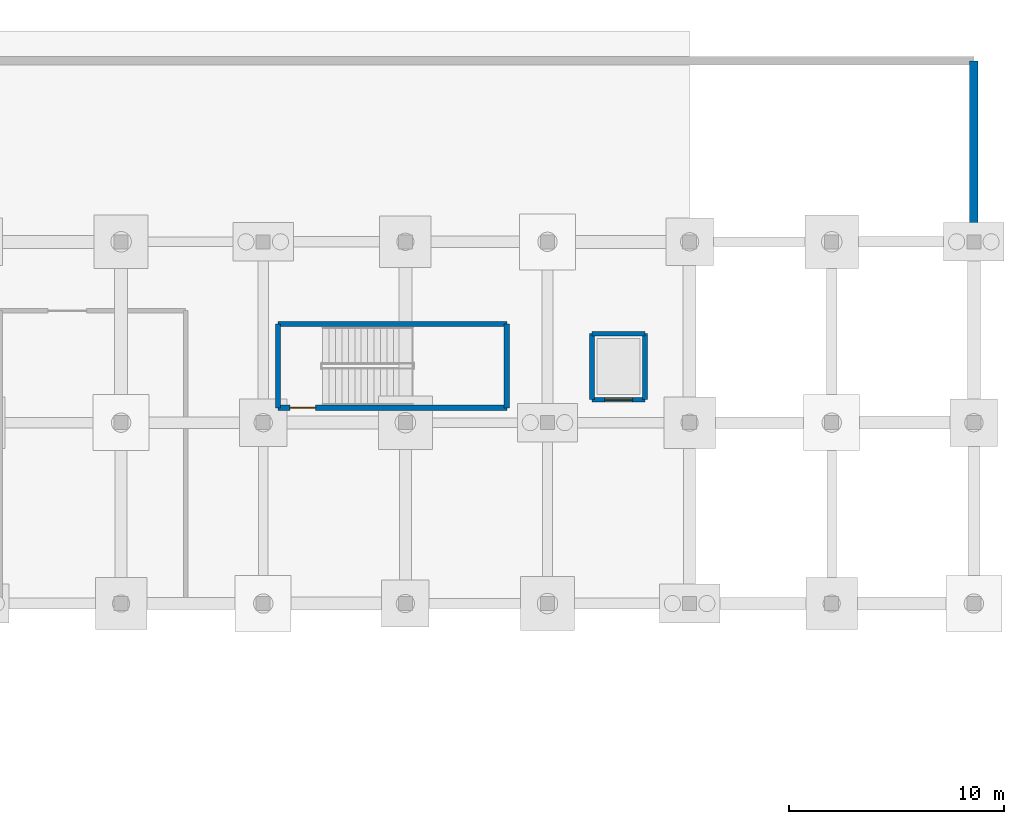
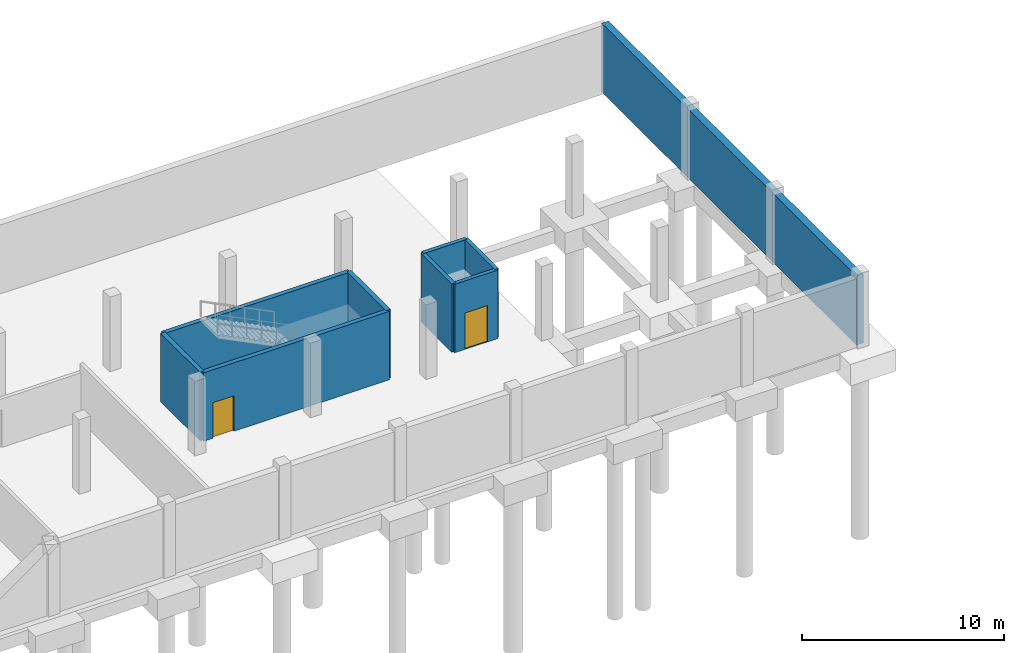
# One storey, part 27 of 35: 9 walls, 2 doors, 2 openings.
"""IFC4 building model written with IfcOpenShell, lengths in metres."""

from ifc_helpers import new_model, si_unit, direction, frame, frame_2d, origin, place, context, subcontext, project, spatial, rectangle, extrude, material, layer, layer_set, type_object, element, fill, save


model = new_model("IFC4")

# Units and contexts
model_context = context("Model", 3, precision=1e-05, world=origin(), true_north=direction((0.0, 1.0)))
body_context = subcontext(model_context, "Body", "Model", "MODEL_VIEW")
ifc_project = project(units=[si_unit("LENGTHUNIT", "METRE"), si_unit("AREAUNIT", "SQUARE_METRE"), si_unit("VOLUMEUNIT", "CUBIC_METRE"), si_unit("PLANEANGLEUNIT", "RADIAN"), si_unit("MASSUNIT", "GRAM", prefix="KILO")], contexts=[model_context])

# Site, building, storey
site_placement = place(None, origin())
site = spatial("IfcSite", under=ifc_project, at=site_placement, CompositionType="ELEMENT")
building_placement = place(site_placement, origin())
building = spatial("IfcBuilding", under=site, at=building_placement, Name="Kalluvel Institute of Natural Sciences", CompositionType="ELEMENT")
storey_placement = place(building_placement, frame((0.0, 0.0, -4.5)))
storey = spatial("IfcBuildingStorey", under=building, at=storey_placement, Name="B1", CompositionType="ELEMENT", Elevation=-4.5)

# Wall, opening, door
ifc_material_1 = material(Name="Concrete M40", Category="concrete")
ifc_layer_1 = layer(ifc_material_1, 0.25)
ifc_layer_set_1 = layer_set([ifc_layer_1], Name="Concrete M40")
wall_type_1 = type_object("IfcWallType", Name="WL-CORE-250", PredefinedType="SHEAR", material=ifc_layer_set_1)
wall_1_placement = place(storey_placement, frame((149.68505859375, 111.885009765625, 0.0), z_axis=(0.0, 0.0, 1.0), x_axis=(1.0, 0.0, 0.0)))
wall_1 = element("IfcWall", 1, at=wall_1_placement, inside=storey, type_object=wall_type_1, Name="ST5 B1 core wall S", PredefinedType="SHEAR", context=body_context, shape_type="SweptSolid", body=[
    extrude(rectangle(XDim=10.6298828125, YDim=0.25, at=frame_2d((5.31494140625, 0.0))), origin(), (0.0, 0.0, 1.0), 4.135009765625),
])
opening_1_placement = place(wall_1_placement, frame((0.550048828125, 0.0, 0.0)))
opening_1 = element("IfcOpeningElement", 2, at=opening_1_placement, cuts=wall_1, Name="Opening DS-043", PredefinedType="OPENING", context=body_context, shape_type="SweptSolid", body=[
    extrude(rectangle(XDim=1.199951171875, YDim=2.14990234375, at=frame_2d((0.60009765625, 1.074951171875))), frame((0.0, 0.135009765625, 0.0), z_axis=(0.0, -1.0, 0.0), x_axis=(1.0, 0.0, 0.0)), (0.0, 0.0, 1.0), 0.27001953125),
])
ifc_material_2 = material(Name="Galvanized Fire-Rated Steel", Category="steel")
door_type_1 = type_object("IfcDoorType", Name="DR-ST-1200", OperationType="NOTDEFINED", PredefinedType="DOOR", material=ifc_material_2)
door_1_placement = place(opening_1_placement, origin())
door_1 = element("IfcDoor", 3, at=door_1_placement, inside=storey, type_object=door_type_1, Name="ST5 B1 protected stair door DS-043", OperationType="SINGLE_SWING_LEFT", OverallHeight=2.14990234375, OverallWidth=1.199951171875, PredefinedType="DOOR", context=body_context, shape_type="SweptSolid", body=[
    extrude(rectangle(XDim=1.199951171875, YDim=2.14990234375, at=frame_2d((0.60009765625, 1.074951171875))), frame((0.0, 0.02490234375, 0.0), z_axis=(0.0, -1.0, 0.0), x_axis=(1.0, 0.0, 0.0)), (0.0, 0.0, 1.0), 0.050048828125),
])
fill(opening_1, door_1)

# Walls
wall_2_placement = place(storey_placement, frame((160.31494140625, 111.885009765625, 0.0), z_axis=(0.0, 0.0, 1.0), x_axis=(0.0, 1.0, 0.0)))
element("IfcWall", 4, at=wall_2_placement, inside=storey, type_object=wall_type_1, Name="ST5 B1 core wall E", PredefinedType="SHEAR", context=body_context, shape_type="SweptSolid", body=[
    extrude(rectangle(XDim=3.89990234375, YDim=0.25, at=frame_2d((1.949951171875, 0.0))), origin(), (0.0, 0.0, 1.0), 4.135009765625),
])
wall_3_placement = place(storey_placement, frame((160.31494140625, 115.784912109375, 0.0), z_axis=(0.0, 0.0, 1.0), x_axis=(-1.0, 0.0, 0.0)))
element("IfcWall", 5, at=wall_3_placement, inside=storey, type_object=wall_type_1, Name="ST5 B1 core wall N", PredefinedType="SHEAR", context=body_context, shape_type="SweptSolid", body=[
    extrude(rectangle(XDim=10.6298828125, YDim=0.25, at=frame_2d((5.31494140625, 0.0))), origin(), (0.0, 0.0, 1.0), 4.135009765625),
])
wall_4_placement = place(storey_placement, frame((149.68505859375, 115.784912109375, 0.0), z_axis=(0.0, 0.0, 1.0), x_axis=(0.0, -1.0, 0.0)))
element("IfcWall", 6, at=wall_4_placement, inside=storey, type_object=wall_type_1, Name="ST5 B1 core wall W", PredefinedType="SHEAR", context=body_context, shape_type="SweptSolid", body=[
    extrude(rectangle(XDim=3.89990234375, YDim=0.25, at=frame_2d((1.949951171875, 0.0))), origin(), (0.0, 0.0, 1.0), 4.135009765625),
])
ifc_layer_2 = layer(ifc_material_1, 0.39990234375)
ifc_layer_set_2 = layer_set([ifc_layer_2], Name="Concrete M40")
wall_type_2 = type_object("IfcWallType", Name="WL-RET-400", PredefinedType="USERDEFINED", material=ifc_layer_set_2)
wall_5_placement = place(storey_placement, frame((182.0, 102.800048828125, 0.0), z_axis=(0.0, 0.0, 1.0), x_axis=(0.0, 1.0, 0.0)))
element("IfcWall", 7, at=wall_5_placement, inside=storey, type_object=wall_type_2, Name="Basement perimeter plinth retaining wall 2", ObjectType="RETAINING WALL", PredefinedType="USERDEFINED", context=body_context, shape_type="SweptSolid", body=[
    extrude(rectangle(XDim=25.199951171875, YDim=0.39990234375, at=frame_2d((12.60009765625, 0.0))), origin(), (0.0, 0.0, 1.0), 4.159912109375),
])

# Wall, opening, door
ifc_layer_3 = layer(ifc_material_1, 0.219970703125)
ifc_layer_set_3 = layer_set([ifc_layer_3], Name="Concrete M40")
wall_type_3 = type_object("IfcWallType", Name="WL-SHAFT-220", PredefinedType="SHEAR", material=ifc_layer_set_3)
wall_6_placement = place(storey_placement, frame((164.27001953125, 112.27001953125, 0.0), z_axis=(0.0, 0.0, 1.0), x_axis=(1.0, 0.0, 0.0)))
wall_6 = element("IfcWall", 8, at=wall_6_placement, inside=storey, type_object=wall_type_3, Name="LF5 B1 lift shaft wall", PredefinedType="SHEAR", context=body_context, shape_type="SweptSolid", body=[
    extrude(rectangle(XDim=2.4599609375, YDim=0.219970703125, at=frame_2d((1.22998046875, 0.0))), origin(), (0.0, 0.0, 1.0), 4.135009765625),
])
opening_2_placement = place(wall_6_placement, frame((0.580078125, 0.0, 0.0)))
opening_2 = element("IfcOpeningElement", 9, at=opening_2_placement, cuts=wall_6, Name="Opening LD-040", PredefinedType="OPENING", context=body_context, shape_type="SweptSolid", body=[
    extrude(rectangle(XDim=1.300048828125, YDim=2.199951171875, at=frame_2d((0.64990234375, 1.10009765625))), frame((0.0, 0.119873046875, 0.0), z_axis=(0.0, -1.0, 0.0), x_axis=(1.0, 0.0, 0.0)), (0.0, 0.0, 1.0), 0.239990234375),
])
door_type_2 = type_object("IfcDoorType", Name="DR-LD-1300", OperationType="NOTDEFINED", PredefinedType="DOOR", material=ifc_material_2)
door_2_placement = place(opening_2_placement, origin())
door_2 = element("IfcDoor", 10, at=door_2_placement, inside=storey, type_object=door_type_2, Name="LF5 B1 sliding lift landing door LD-040", OperationType="DOUBLE_DOOR_SLIDING", OverallHeight=2.199951171875, OverallWidth=1.300048828125, PredefinedType="DOOR", context=body_context, shape_type="SweptSolid", body=[
    extrude(rectangle(XDim=1.300048828125, YDim=2.199951171875, at=frame_2d((0.64990234375, 1.10009765625))), frame((0.0, 0.02490234375, 0.0), z_axis=(0.0, -1.0, 0.0), x_axis=(1.0, 0.0, 0.0)), (0.0, 0.0, 1.0), 0.050048828125),
])
fill(opening_2, door_2)

# Walls
wall_7_placement = place(storey_placement, frame((166.72998046875, 112.27001953125, 0.0), z_axis=(0.0, 0.0, 1.0), x_axis=(0.0, 1.0, 0.0)))
element("IfcWall", 11, at=wall_7_placement, inside=storey, type_object=wall_type_3, Name="LF5 B1 lift shaft wall", PredefinedType="SHEAR", context=body_context, shape_type="SweptSolid", body=[
    extrude(rectangle(XDim=3.06005859375, YDim=0.219970703125, at=frame_2d((1.530029296875, 0.0))), origin(), (0.0, 0.0, 1.0), 4.135009765625),
])
wall_8_placement = place(storey_placement, frame((166.72998046875, 115.330078125, 0.0), z_axis=(0.0, 0.0, 1.0), x_axis=(-1.0, 0.0, 0.0)))
element("IfcWall", 12, at=wall_8_placement, inside=storey, type_object=wall_type_3, Name="LF5 B1 lift shaft wall", PredefinedType="SHEAR", context=body_context, shape_type="SweptSolid", body=[
    extrude(rectangle(XDim=2.4599609375, YDim=0.219970703125, at=frame_2d((1.22998046875, 0.0))), origin(), (0.0, 0.0, 1.0), 4.135009765625),
])
wall_9_placement = place(storey_placement, frame((164.27001953125, 115.330078125, 0.0), z_axis=(0.0, 0.0, 1.0), x_axis=(0.0, -1.0, 0.0)))
element("IfcWall", 13, at=wall_9_placement, inside=storey, type_object=wall_type_3, Name="LF5 B1 lift shaft wall", PredefinedType="SHEAR", context=body_context, shape_type="SweptSolid", body=[
    extrude(rectangle(XDim=3.06005859375, YDim=0.219970703125, at=frame_2d((1.530029296875, 0.0))), origin(), (0.0, 0.0, 1.0), 4.135009765625),
])

save(model, "model.ifc")
